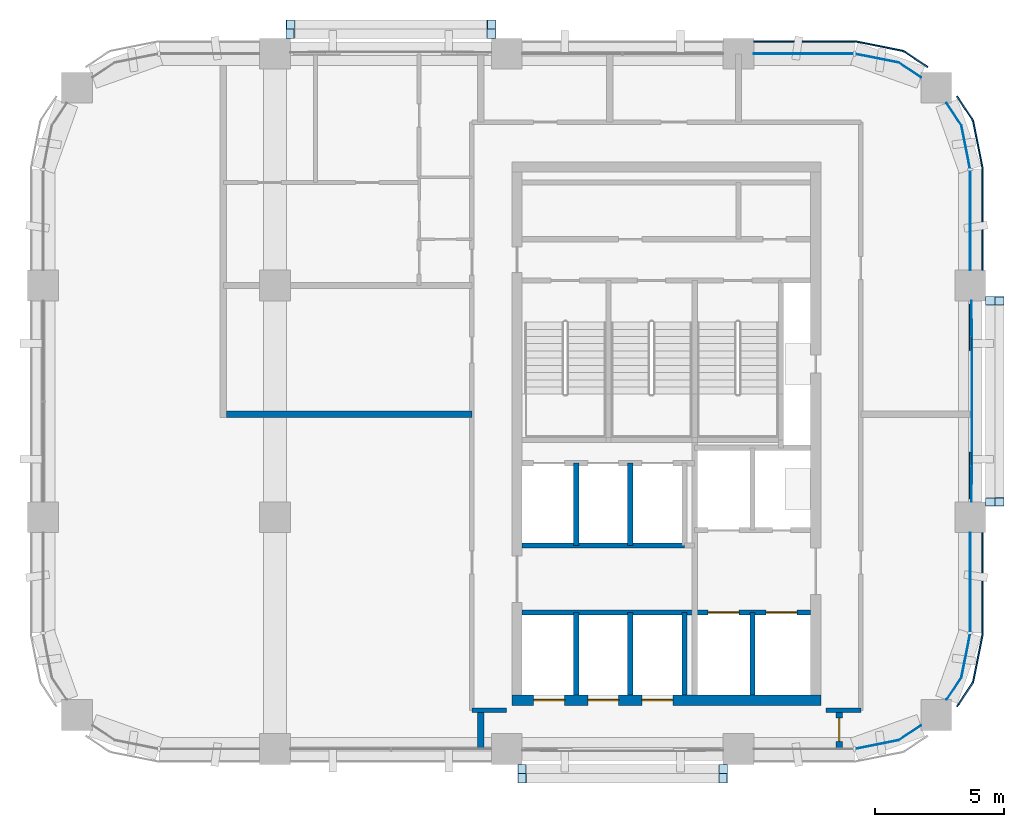
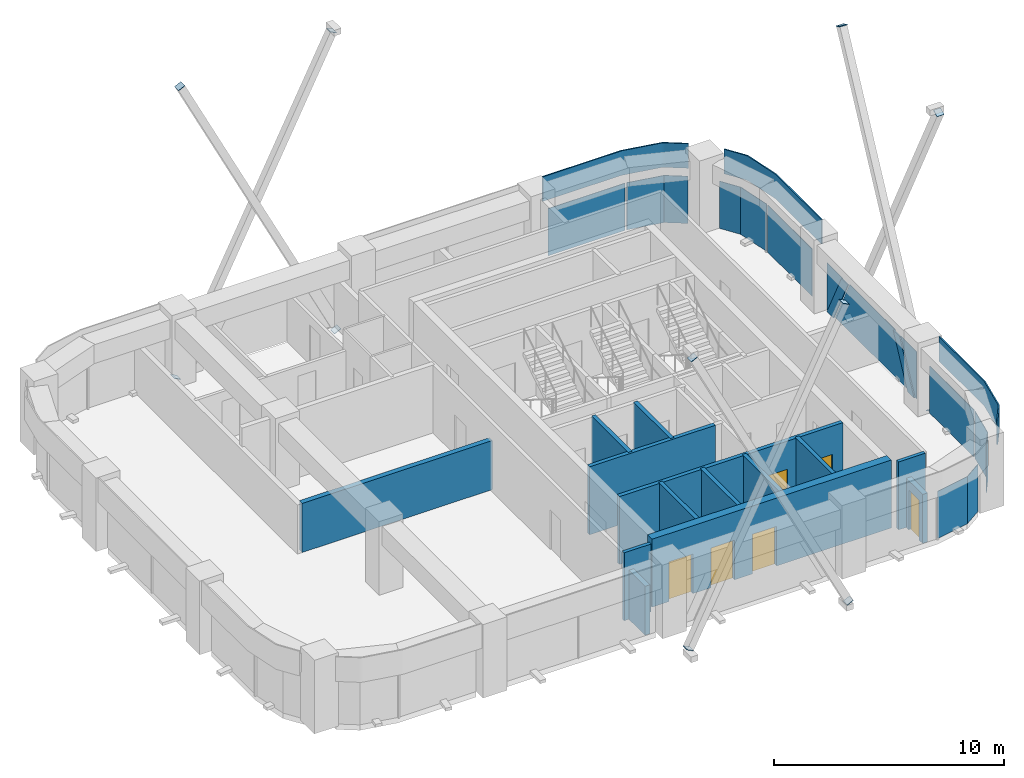
# One storey, part 6 of 10: 27 plates, 14 walls, 6 doors, 6 openings, 5 elements without a shape of their own.
"""IFC4 building model written with IfcOpenShell, lengths in metres."""

import ifcopenshell
import ifcopenshell.guid

model = None  # the IFC model being written
_history = None  # IfcOwnerHistory: only IFC2X3 demands one
_inside = {}  # id of a spatial element -> (the spatial element, [elements in it])
_under = {}  # id of a project, library or spatial element -> (it, [spatial elements below it])
_declared = {}  # id of a project -> (the project, [libraries it declares])
_typed = {}  # id of a type object -> (the type object, [elements of that type])
_made_of = {}  # id of a material, layer set ... -> (it, [elements and type objects made of it])


def new_model(schema):
    """Start an empty IFC model of exactly this schema.

    Asked for "IFC4X3", IfcOpenShell would pick the latest addendum, in which some entities
    have other attributes; the version numbers below select the first issue.
    IFC2X3 requires an IfcOwnerHistory on every rooted entity: one is made here for all.
    """
    global model, _history
    if schema == "IFC4X3":
        model = ifcopenshell.file(schema_version=(4, 3, 0, 0))
    else:
        model = ifcopenshell.file(schema=schema)
    _inside.clear()
    _under.clear()
    _declared.clear()
    _typed.clear()
    _made_of.clear()
    _history = None
    if model.schema == "IFC2X3":
        org = make("IfcOrganization", Name="unknown")
        user = make(
            "IfcPersonAndOrganization",
            ThePerson=make("IfcPerson", FamilyName="unknown"),
            TheOrganization=org,
        )
        app = make(
            "IfcApplication",
            ApplicationDeveloper=org,
            Version="unknown",
            ApplicationFullName="unknown",
            ApplicationIdentifier="unknown",
        )
        _history = make(
            "IfcOwnerHistory",
            OwningUser=user,
            OwningApplication=app,
            ChangeAction="ADDED",
            CreationDate=0,
        )
    return model


def make(cls, **values):
    """One entity of the class cls with the attributes given. An attribute that is None is left unset."""
    return model.create_entity(
        cls, **{name: value for name, value in values.items() if value is not None}
    )


def rooted(cls, **values):
    """An entity with a GlobalId (a new one), such as an element, a storey or a relation."""
    return make(cls, GlobalId=ifcopenshell.guid.new(), OwnerHistory=_history, **values)


def si_unit(unit_type, name, prefix=None):
    """IfcSIUnit, for example si_unit("LENGTHUNIT", "METRE", prefix="MILLI")."""
    return make("IfcSIUnit", UnitType=unit_type, Prefix=prefix, Name=name)


def assignment(units):
    """IfcUnitAssignment: the units of a project."""
    return None if units is None else make("IfcUnitAssignment", Units=units)


def point(xyz):
    """IfcCartesianPoint."""
    return None if xyz is None else make("IfcCartesianPoint", Coordinates=xyz)


def direction(xyz):
    """IfcDirection."""
    return None if xyz is None else make("IfcDirection", DirectionRatios=xyz)


def frame(location, z_axis=None, x_axis=None):
    """IfcAxis2Placement3D, a coordinate frame: its origin and axes. An axis left out is left unset."""
    return make(
        "IfcAxis2Placement3D",
        Location=point(location),
        Axis=direction(z_axis),
        RefDirection=direction(x_axis),
    )


def frame_2d(location, x_axis=None):
    """IfcAxis2Placement2D, a coordinate frame in the plane: its origin and x axis."""
    return make(
        "IfcAxis2Placement2D", Location=point(location), RefDirection=direction(x_axis)
    )


def origin():
    """The frame at (0, 0, 0) with its axes left unset."""
    return frame((0.0, 0.0, 0.0))


def origin_2d():
    """The frame at (0, 0) in the plane with its x axis left unset."""
    return frame_2d((0.0, 0.0))


def place(relative_to, where):
    """IfcLocalPlacement: puts the frame where relative to a parent placement (None: the world)."""
    return make(
        "IfcLocalPlacement", PlacementRelTo=relative_to, RelativePlacement=where
    )


def context(
    kind, dimensions, precision=None, world=None, true_north=None, identifier=None
):
    """IfcGeometricRepresentationContext, for example the 3D "Model" context."""
    return make(
        "IfcGeometricRepresentationContext",
        ContextIdentifier=identifier,
        ContextType=kind,
        CoordinateSpaceDimension=dimensions,
        Precision=precision,
        WorldCoordinateSystem=world,
        TrueNorth=true_north,
    )


def subcontext(parent, identifier, kind, view, scale=None):
    """IfcGeometricRepresentationSubContext, for example "Body" below "Model"."""
    return make(
        "IfcGeometricRepresentationSubContext",
        ContextIdentifier=identifier,
        ContextType=kind,
        ParentContext=parent,
        TargetScale=scale,
        TargetView=view,
    )


def project(units=None, contexts=None):
    """IfcProject with its units and contexts."""
    return rooted(
        "IfcProject",
        Name="project",
        RepresentationContexts=contexts,
        UnitsInContext=assignment(units),
    )


def spatial(cls, under=None, at=None, **own):
    """A site, building, storey or space (cls), placed at a placement, below another one or the project."""
    s = rooted(cls, ObjectPlacement=at, **own)
    if under is not None:
        _under.setdefault(under.id(), (under, []))[1].append(s)
    return s


def polyline(points):
    """IfcPolyline through the points."""
    return make("IfcPolyline", Points=[point(p) for p in points])


def profile(cls, at=None, kind="AREA", **sizes):
    """A parametric profile (cls). Its sizes go by their IFC names, for example OverallWidth=200.0."""
    return make(cls, ProfileType=kind, Position=at, **sizes)


def rectangle(**sizes):
    """IfcRectangleProfileDef."""
    return profile("IfcRectangleProfileDef", **sizes)


def outline(outer, holes=None, kind="AREA"):
    """IfcArbitraryClosedProfileDef: a profile drawn as a closed curve; with holes, ...WithVoids."""
    if holes is None:
        return make("IfcArbitraryClosedProfileDef", ProfileType=kind, OuterCurve=outer)
    return make(
        "IfcArbitraryProfileDefWithVoids",
        ProfileType=kind,
        OuterCurve=outer,
        InnerCurves=holes,
    )


def extrude(swept, where, along, depth):
    """IfcExtrudedAreaSolid: the profile swept, set in the frame where, extruded along a direction by depth."""
    return make(
        "IfcExtrudedAreaSolid",
        SweptArea=swept,
        Position=where,
        ExtrudedDirection=direction(along),
        Depth=depth,
    )


def shape(context_of_items, identifier, shape_type, items):
    """IfcShapeRepresentation: the items that make up one representation, for example the "Body"."""
    return make(
        "IfcShapeRepresentation",
        ContextOfItems=context_of_items,
        RepresentationIdentifier=identifier,
        RepresentationType=shape_type,
        Items=items,
    )


def material(Name=None, Category=None):
    """IfcMaterial."""
    return make("IfcMaterial", Name=Name, Category=Category)


def layer(
    of_material, thickness, ventilated=None, Name=None, Category=None, Priority=None
):
    """IfcMaterialLayer: one layer of a wall or slab, of a material (None: an air gap)."""
    return make(
        "IfcMaterialLayer",
        Material=of_material,
        LayerThickness=thickness,
        IsVentilated=ventilated,
        Name=Name,
        Category=Category,
        Priority=Priority,
    )


def layer_set(layers, Name=None):
    """IfcMaterialLayerSet."""
    return make("IfcMaterialLayerSet", MaterialLayers=layers, LayerSetName=Name)


def made_of(thing, what):
    """Note that an element or type object is made of a material, layer set ...; save() writes the relation."""
    if what is not None:
        _made_of.setdefault(what.id(), (what, []))[1].append(thing)
    return thing


def type_object(cls, material=None, **own):
    """A type object (cls), such as IfcWallType, which elements share."""
    return made_of(rooted(cls, **own), material)


def element(
    cls,
    number,
    at=None,
    inside=None,
    cuts=None,
    type_object=None,
    material=None,
    context=None,
    identifier="Body",
    shape_type=None,
    held_by="IfcProductDefinitionShape",
    body=None,
    shapes=None,
    **own,
):
    """One element of the class cls, such as IfcWall. Its Tag is "e" and its number.

    at: its placement. inside: the storey or other place that contains it. cuts: it is an
    opening in that element (IfcRelVoidsElement). A single representation is given by context,
    identifier, shape_type and body (its items); several are given by shapes. held_by: the class
    of the entity that holds the representations. save() writes the other relations.
    """
    e = rooted(cls, Tag="e%d" % number, ObjectPlacement=at, **own)
    if body is not None:
        shapes = [shape(context, identifier, shape_type, body)]
    if shapes is not None:
        e.Representation = make(held_by, Representations=shapes)
    if inside is not None:
        _inside.setdefault(inside.id(), (inside, []))[1].append(e)
    if cuts is not None:
        rooted(
            "IfcRelVoidsElement", RelatingBuildingElement=cuts, RelatedOpeningElement=e
        )
    if type_object is not None:
        _typed.setdefault(type_object.id(), (type_object, []))[1].append(e)
    return made_of(e, material)


def fill(opening, filler):
    """IfcRelFillsElement: the door or window that sits in an opening."""
    return rooted(
        "IfcRelFillsElement",
        RelatingOpeningElement=opening,
        RelatedBuildingElement=filler,
    )


def aggregate(whole, parts):
    """IfcRelAggregates: a whole, such as a stair, and the parts it consists of."""
    return rooted("IfcRelAggregates", RelatingObject=whole, RelatedObjects=parts)


def save(model, path):
    """Write the relations noted so far, then the file.

    IfcRelAggregates (storeys below a building ...), IfcRelContainedInSpatialStructure (elements
    in a storey), IfcRelDefinesByType, IfcRelAssociatesMaterial and IfcRelDeclares: one each for
    every whole, place, type object, material and project.
    """
    for whole, parts in _under.values():
        aggregate(whole, parts)
    for where, things in _inside.values():
        rooted(
            "IfcRelContainedInSpatialStructure",
            RelatedElements=things,
            RelatingStructure=where,
        )
    for kind, things in _typed.values():
        rooted("IfcRelDefinesByType", RelatedObjects=things, RelatingType=kind)
    for what, things in _made_of.values():
        rooted("IfcRelAssociatesMaterial", RelatedObjects=things, RelatingMaterial=what)
    for by, libraries in _declared.values():
        rooted("IfcRelDeclares", RelatingContext=by, RelatedDefinitions=libraries)
    model.write(path)


model = new_model("IFC4")

# Units and contexts
model_context = context("Model", 3, precision=1e-05, world=origin(), true_north=direction((0.0, 1.0)))
body_context = subcontext(model_context, "Body", "Model", "MODEL_VIEW")
ifc_project = project(units=[si_unit("LENGTHUNIT", "METRE"), si_unit("AREAUNIT", "SQUARE_METRE"), si_unit("VOLUMEUNIT", "CUBIC_METRE"), si_unit("PLANEANGLEUNIT", "RADIAN"), si_unit("MASSUNIT", "GRAM", prefix="KILO")], contexts=[model_context])

# Site, building, storey
site_placement = place(None, origin())
site = spatial("IfcSite", under=ifc_project, at=site_placement, CompositionType="ELEMENT")
building_placement = place(site_placement, origin())
building = spatial("IfcBuilding", under=site, at=building_placement, Name="Tessera Arch", CompositionType="ELEMENT")
storey_placement = place(building_placement, frame((0.0, 0.0, 265.699951171875)))
storey = spatial("IfcBuildingStorey", under=building, at=storey_placement, Name="L64", CompositionType="ELEMENT", Elevation=265.699951171875)

# Curtain wall, plates
ifc_material_1 = material(Name="CW2 curtain wall")
curtain_wall_type_1 = type_object("IfcCurtainWallType", Name="CW2 curtain wall", PredefinedType="NOTDEFINED", material=ifc_material_1)
curtain_wall_1_placement = place(storey_placement, origin())
curtain_wall_1 = element("IfcCurtainWall", 1, at=curtain_wall_1_placement, inside=storey, type_object=curtain_wall_type_1, Name="CW2 curtain wall E54.27/1 L64", PredefinedType="NOTDEFINED")
ifc_material_2 = material(Name="Clear low-e glass", Category="glass")
ifc_material_3 = material(Name="Clear low-e glass", Category="glass")
ifc_layer_1 = layer(ifc_material_3, 0.028076171875)
ifc_layer_set_1 = layer_set([ifc_layer_1], Name="CW2 glass panel")
plate_type_1 = type_object("IfcPlateType", Name="CW2 glass panel", PredefinedType="CURTAIN_PANEL", material=ifc_layer_set_1)
plate_1_placement = place(storey_placement, frame((54.0, 47.530029296875, 0.0), z_axis=(0.0, 0.0, 1.0), x_axis=(0.0, 1.0, 0.0)))
plate_1 = element("IfcPlate", 2, at=plate_1_placement, type_object=plate_type_1, material=ifc_material_2, Name="CW2 glass panel E54.27/1 1.1", PredefinedType="CURTAIN_PANEL", context=body_context, shape_type="SweptSolid", body=[
    extrude(rectangle(XDim=3.860107421875, YDim=0.028076171875, at=origin_2d()), origin(), (0.0, 0.0, 1.0), 2.5),
])
plate_2_placement = place(storey_placement, origin())
plate_2 = element("IfcPlate", 3, at=plate_2_placement, type_object=plate_type_1, material=ifc_material_2, Name="CW2 curved glass panel E54.27/1 2.1", PredefinedType="CURTAIN_PANEL", context=body_context, shape_type="SweptSolid", body=[
    extrude(outline(polyline([(53.644287109375, 51.216552734375), (53.978515625, 49.53662109375), (54.005859375, 49.5419921875), (53.670654296875, 51.2275390625), (53.094482421875, 52.08984375), (53.0712890625, 52.07421875), (53.644287109375, 51.216552734375)])), origin(), (0.0, 0.0, 1.0), 2.5),
])

curtain_wall_2_placement = place(storey_placement, origin())
curtain_wall_2 = element("IfcCurtainWall", 4, at=curtain_wall_2_placement, inside=storey, type_object=curtain_wall_type_1, Name="CW2 curtain wall N54.18/0 L64", PredefinedType="NOTDEFINED")
plate_3_placement = place(storey_placement, frame((47.530029296875, 54.0, 0.0), z_axis=(0.0, 0.0, 1.0), x_axis=(-1.0, 0.0, 0.0)))
plate_3 = element("IfcPlate", 5, at=plate_3_placement, type_object=plate_type_1, material=ifc_material_2, Name="CW2 glass panel N54.18/0 1.1", PredefinedType="CURTAIN_PANEL", context=body_context, shape_type="SweptSolid", body=[
    extrude(rectangle(XDim=3.860107421875, YDim=0.028076171875, at=origin_2d()), origin(), (0.0, 0.0, 1.0), 2.5),
])
plate_4_placement = place(storey_placement, origin())
plate_4 = element("IfcPlate", 6, at=plate_4_placement, type_object=plate_type_1, material=ifc_material_2, Name="CW2 curved glass panel N54.18/0 2.1", PredefinedType="CURTAIN_PANEL", context=body_context, shape_type="SweptSolid", body=[
    extrude(outline(polyline([(51.216552734375, 53.644287109375), (52.07421875, 53.0712890625), (52.08984375, 53.094482421875), (51.2275390625, 53.670654296875), (49.5419921875, 54.005859375), (49.53662109375, 53.978515625), (51.216552734375, 53.644287109375)])), origin(), (0.0, 0.0, 1.0), 2.5),
])

# Curtain wall, plate
curtain_wall_3_placement = place(storey_placement, origin())
curtain_wall_3 = element("IfcCurtainWall", 7, at=curtain_wall_3_placement, inside=storey, type_object=curtain_wall_type_1, Name="CW2 curtain wall S27.18/3 L64", PredefinedType="NOTDEFINED")
plate_5_placement = place(storey_placement, origin())
plate_5 = element("IfcPlate", 8, at=plate_5_placement, type_object=plate_type_1, material=ifc_material_2, Name="CW2 curved glass panel S27.18/3 2.1", PredefinedType="CURTAIN_PANEL", context=body_context, shape_type="SweptSolid", body=[
    extrude(outline(polyline([(51.216552734375, 27.355712890625), (49.53662109375, 27.021484375), (49.5419921875, 26.994140625), (51.2275390625, 27.329345703125), (52.08984375, 27.905517578125), (52.07421875, 27.9287109375), (51.216552734375, 27.355712890625)])), origin(), (0.0, 0.0, 1.0), 2.5),
])
aggregate(curtain_wall_3, [plate_5])

# Curtain wall, plates
curtain_wall_4_placement = place(storey_placement, origin())
curtain_wall_4 = element("IfcCurtainWall", 9, at=curtain_wall_4_placement, inside=storey, type_object=curtain_wall_type_1, Name="CW2 curtain wall E54.27/2 L64", PredefinedType="NOTDEFINED")
plate_6_placement = place(storey_placement, frame((54.0, 33.469970703125, 0.0), z_axis=(0.0, 0.0, 1.0), x_axis=(0.0, 1.0, 0.0)))
plate_6 = element("IfcPlate", 10, at=plate_6_placement, type_object=plate_type_1, material=ifc_material_2, Name="CW2 glass panel E54.27/2 1.1", PredefinedType="CURTAIN_PANEL", context=body_context, shape_type="SweptSolid", body=[
    extrude(rectangle(XDim=3.860107421875, YDim=0.028076171875, at=origin_2d()), origin(), (0.0, 0.0, 1.0), 2.5),
])
plate_7_placement = place(storey_placement, origin())
plate_7 = element("IfcPlate", 11, at=plate_7_placement, type_object=plate_type_1, material=ifc_material_2, Name="CW2 curved glass panel E54.27/2 2.1", PredefinedType="CURTAIN_PANEL", context=body_context, shape_type="SweptSolid", body=[
    extrude(outline(polyline([(53.644287109375, 29.783447265625), (53.0712890625, 28.92578125), (53.094482421875, 28.91015625), (53.670654296875, 29.7724609375), (54.005859375, 31.4580078125), (53.978515625, 31.46337890625), (53.644287109375, 29.783447265625)])), origin(), (0.0, 0.0, 1.0), 2.5),
])

# Plate
ifc_material_4 = material(Name="Pale anodised aluminium panel", Category="aluminium")
ifc_layer_2 = layer(ifc_material_4, 0.06005859375)
ifc_layer_set_2 = layer_set([ifc_layer_2], Name="CW2 spandrel panel")
plate_type_2 = type_object("IfcPlateType", Name="CW2 spandrel panel", PredefinedType="CURTAIN_PANEL", material=ifc_layer_set_2)
plate_8_placement = place(storey_placement, frame((0.0, 0.0, 2.60009765625)))
plate_8 = element("IfcPlate", 12, at=plate_8_placement, type_object=plate_type_2, Name="CW2 spandrel panel E54.27/1", PredefinedType="CURTAIN_PANEL", context=body_context, shape_type="SweptSolid", body=[
    extrude(outline(polyline([(54.449951171875, 49.499267578125), (54.449951171875, 45.60009765625), (54.510009765625, 45.60009765625), (54.510009765625, 49.500732421875), (54.507568359375, 49.550048828125), (54.500244140625, 49.598876953125), (54.157470703125, 51.322265625), (54.1455078125, 51.3701171875), (54.128662109375, 51.417236328125), (54.107421875, 51.462646484375), (54.08203125, 51.5048828125), (53.5068359375, 52.365234375), (53.45703125, 52.33203125), (54.03125, 51.47265625), (54.054443359375, 51.434326171875), (54.0732421875, 51.394287109375), (54.088134765625, 51.352783203125), (54.09912109375, 51.30908203125), (54.441162109375, 49.588623046875), (54.44775390625, 49.544189453125), (54.449951171875, 49.499267578125)])), origin(), (0.0, 0.0, 1.0), 1.300048828125),
])

aggregate(curtain_wall_1, [plate_1, plate_2, plate_8])

plate_9_placement = place(storey_placement, frame((0.0, 0.0, 2.60009765625)))
plate_9 = element("IfcPlate", 13, at=plate_9_placement, type_object=plate_type_2, Name="CW2 spandrel panel N54.18/0", PredefinedType="CURTAIN_PANEL", context=body_context, shape_type="SweptSolid", body=[
    extrude(outline(polyline([(51.47265625, 54.03125), (52.33203125, 53.45703125), (52.365234375, 53.5068359375), (51.5048828125, 54.08203125), (51.462646484375, 54.107421875), (51.417236328125, 54.128662109375), (51.3701171875, 54.1455078125), (51.322265625, 54.157470703125), (49.598876953125, 54.500244140625), (49.550048828125, 54.507568359375), (49.500732421875, 54.510009765625), (45.60009765625, 54.510009765625), (45.60009765625, 54.449951171875), (49.499267578125, 54.449951171875), (49.544189453125, 54.44775390625), (49.588623046875, 54.441162109375), (51.30908203125, 54.09912109375), (51.352783203125, 54.088134765625), (51.394287109375, 54.0732421875), (51.434326171875, 54.054443359375), (51.47265625, 54.03125)])), origin(), (0.0, 0.0, 1.0), 1.300048828125),
])

aggregate(curtain_wall_2, [plate_3, plate_4, plate_9])

plate_10_placement = place(storey_placement, frame((0.0, 0.0, 2.60009765625)))
plate_10 = element("IfcPlate", 14, at=plate_10_placement, type_object=plate_type_2, Name="CW2 spandrel panel E54.27/2", PredefinedType="CURTAIN_PANEL", context=body_context, shape_type="SweptSolid", body=[
    extrude(outline(polyline([(54.03125, 29.52734375), (53.45703125, 28.66796875), (53.5068359375, 28.634765625), (54.08203125, 29.4951171875), (54.107421875, 29.537353515625), (54.128662109375, 29.582763671875), (54.1455078125, 29.6298828125), (54.157470703125, 29.677734375), (54.500244140625, 31.401123046875), (54.507568359375, 31.449951171875), (54.510009765625, 31.499267578125), (54.510009765625, 35.39990234375), (54.449951171875, 35.39990234375), (54.449951171875, 31.500732421875), (54.44775390625, 31.455810546875), (54.441162109375, 31.411376953125), (54.09912109375, 29.69091796875), (54.088134765625, 29.647216796875), (54.0732421875, 29.605712890625), (54.054443359375, 29.565673828125), (54.03125, 29.52734375)])), origin(), (0.0, 0.0, 1.0), 1.300048828125),
])

aggregate(curtain_wall_4, [plate_6, plate_7, plate_10])

# Curtain wall, plates
ifc_material_5 = material(Name="CW3 curtain wall")
curtain_wall_type_2 = type_object("IfcCurtainWallType", Name="CW3 curtain wall", PredefinedType="NOTDEFINED", material=ifc_material_5)
curtain_wall_5_placement = place(storey_placement, origin())
curtain_wall_5 = element("IfcCurtainWall", 15, at=curtain_wall_5_placement, inside=storey, type_object=curtain_wall_type_2, Name="CW3 curtain wall E54.27/0 L64", PredefinedType="NOTDEFINED")
ifc_material_6 = material(Name="Pale anodised aluminium panel", Category="aluminium")
ifc_layer_3 = layer(ifc_material_6, 0.06005859375)
ifc_layer_set_3 = layer_set([ifc_layer_3], Name="CW3 diagonal panel")
plate_type_3 = type_object("IfcPlateType", Name="CW3 diagonal panel", PredefinedType="CURTAIN_PANEL", material=ifc_layer_set_3)
plate_11_placement = place(storey_placement, frame((54.030029296875, 43.0322265625, 2.5), z_axis=(1.0, 0.0, 0.0), x_axis=(0.0, -1.0, 0.0)))
plate_11 = element("IfcPlate", 16, at=plate_11_placement, type_object=plate_type_3, Name="CW3 diagonal panel E54.27/0 1", PredefinedType="CURTAIN_PANEL", context=body_context, shape_type="SweptSolid", body=[
    extrude(outline(polyline([(0.0, 0.0), (0.564453125, 0.0), (-0.685546875, 2.5), (-1.25, 2.5), (0.0, 0.0)])), origin(), (0.0, 0.0, -1.0), 0.06005859375),
])
plate_12_placement = place(storey_placement, frame((54.030029296875, 38.5322265625, 2.5), z_axis=(1.0, 0.0, 0.0), x_axis=(0.0, -1.0, 0.0)))
plate_12 = element("IfcPlate", 17, at=plate_12_placement, type_object=plate_type_3, Name="CW3 diagonal panel E54.27/0 2", PredefinedType="CURTAIN_PANEL", context=body_context, shape_type="SweptSolid", body=[
    extrude(outline(polyline([(0.0, 0.0), (0.564453125, 0.0), (1.814453125, 2.5), (1.25, 2.5), (0.0, 0.0)])), origin(), (0.0, 0.0, -1.0), 0.06005859375),
])
ifc_material_7 = material(Name="Clear low-e glass", Category="glass")
ifc_layer_4 = layer(ifc_material_7, 0.028076171875)
ifc_layer_set_4 = layer_set([ifc_layer_4], Name="CW3 glass panel")
plate_type_4 = type_object("IfcPlateType", Name="CW3 glass panel", PredefinedType="CURTAIN_PANEL", material=ifc_layer_set_4)
plate_13_placement = place(storey_placement, frame((54.05810546875, 36.60009765625, 0.0), z_axis=(1.0, 0.0, 0.0), x_axis=(0.0, 1.0, 0.0)))
plate_13 = element("IfcPlate", 18, at=plate_13_placement, type_object=plate_type_4, material=ifc_material_2, Name="CW3 triangulated glass panel E54.27/0 1", PredefinedType="CURTAIN_PANEL", context=body_context, shape_type="SweptSolid", body=[
    extrude(outline(polyline([(0.0, 0.0), (0.11767578125, 0.0), (1.36767578125, 2.5), (0.0, 2.5), (0.0, 0.0)])), origin(), (0.0, 0.0, -1.0), 0.028076171875),
])
plate_14_placement = place(storey_placement, frame((54.0859375, 42.4677734375, 2.5), z_axis=(1.0, 0.0, 0.0), x_axis=(0.0, -1.0, 0.0)))
plate_14 = element("IfcPlate", 19, at=plate_14_placement, type_object=plate_type_4, material=ifc_material_2, Name="CW3 triangulated glass panel E54.27/0 2", PredefinedType="CURTAIN_PANEL", context=body_context, shape_type="SweptSolid", body=[
    extrude(outline(polyline([(0.0, 0.0), (3.935546875, 0.0), (5.185546875, 2.5), (-1.25, 2.5), (0.0, 0.0)])), origin(), (0.0, 0.0, -1.0), 0.028076171875),
])
plate_15_placement = place(storey_placement, frame((54.05810546875, 44.39990234375, 2.5), z_axis=(1.0, 0.0, 0.0), x_axis=(0.0, -1.0, 0.0)))
plate_15 = element("IfcPlate", 20, at=plate_15_placement, type_object=plate_type_4, material=ifc_material_2, Name="CW3 triangulated glass panel E54.27/0 3", PredefinedType="CURTAIN_PANEL", context=body_context, shape_type="SweptSolid", body=[
    extrude(outline(polyline([(0.0, 0.0), (1.36767578125, 0.0), (0.11767578125, 2.5), (0.0, 2.5), (0.0, 0.0)])), origin(), (0.0, 0.0, -1.0), 0.028076171875),
])
aggregate(curtain_wall_5, [plate_13, plate_14, plate_15, plate_11, plate_12])

# Plates
ifc_material_8 = material(Name="Steel A572 Gr50", Category="steel")
ifc_layer_5 = layer(ifc_material_8, 0.02490234375)
ifc_layer_set_5 = layer_set([ifc_layer_5], Name="End plate HSS14x14x1/2")
plate_type_5 = type_object("IfcPlateType", Name="End plate HSS14x14x1/2", PredefinedType="SHEET", material=ifc_layer_set_5)
plate_16_placement = place(storey_placement, frame((54.77783203125, 36.5888671875, -0.822265625), z_axis=(0.0, 0.451132182653, 0.892457143943), x_axis=(-1.0, 0.0, 0.0)))
element("IfcPlate", 21, at=plate_16_placement, inside=storey, type_object=plate_type_5, Name="End plate HSS14x14x1/2 E54.27-0 A1 L64", PredefinedType="SHEET", context=body_context, shape_type="SweptSolid", body=[
    extrude(rectangle(XDim=0.355712890625, YDim=0.355712890625, at=origin_2d()), origin(), (0.0, 0.0, 1.0), 0.02490234375),
])
plate_17_placement = place(storey_placement, frame((54.77783203125, 44.39990234375, 14.800048828125), z_axis=(0.0, 0.4472135955, 0.894427191), x_axis=(-1.0, 0.0, 0.0)))
element("IfcPlate", 22, at=plate_17_placement, inside=storey, type_object=plate_type_5, Name="End plate HSS14x14x1/2 E54.27-0 A2 L64", PredefinedType="SHEET", context=body_context, shape_type="SweptSolid", body=[
    extrude(rectangle(XDim=0.355712890625, YDim=0.355712890625, at=origin_2d()), origin(), (0.0, 0.0, 1.0), 0.025146484375),
])
plate_18_placement = place(storey_placement, frame((55.13330078125, 44.4111328125, -0.822265625), z_axis=(0.0, -0.451132182653, 0.892457143943), x_axis=(1.0, 0.0, 0.0)))
element("IfcPlate", 23, at=plate_18_placement, inside=storey, type_object=plate_type_5, Name="End plate HSS14x14x1/2 E54.27-0 B1 L64", PredefinedType="SHEET", context=body_context, shape_type="SweptSolid", body=[
    extrude(rectangle(XDim=0.355712890625, YDim=0.355712890625, at=origin_2d()), origin(), (0.0, 0.0, 1.0), 0.02490234375),
])
plate_19_placement = place(storey_placement, frame((55.13330078125, 36.60009765625, 14.800048828125), z_axis=(0.0, -0.4472135955, 0.894427191), x_axis=(1.0, 0.0, 0.0)))
element("IfcPlate", 24, at=plate_19_placement, inside=storey, type_object=plate_type_5, Name="End plate HSS14x14x1/2 E54.27-0 B2 L64", PredefinedType="SHEET", context=body_context, shape_type="SweptSolid", body=[
    extrude(rectangle(XDim=0.355712890625, YDim=0.355712890625, at=origin_2d()), origin(), (0.0, 0.0, 1.0), 0.025146484375),
])
plate_20_placement = place(storey_placement, frame((35.4111328125, 54.77783203125, -0.822265625), z_axis=(-0.451132182653, 0.0, 0.892457143943), x_axis=(0.0, -1.0, 0.0)))
element("IfcPlate", 25, at=plate_20_placement, inside=storey, type_object=plate_type_5, Name="End plate HSS14x14x1/2 N54.18-2 A1 L64", PredefinedType="SHEET", context=body_context, shape_type="SweptSolid", body=[
    extrude(rectangle(XDim=0.355712890625, YDim=0.355712890625, at=origin_2d()), origin(), (0.0, 0.0, 1.0), 0.02490234375),
])
plate_21_placement = place(storey_placement, frame((27.60009765625, 54.77783203125, 14.800048828125), z_axis=(-0.4472135955, 0.0, 0.894427191), x_axis=(0.0, -1.0, 0.0)))
element("IfcPlate", 26, at=plate_21_placement, inside=storey, type_object=plate_type_5, Name="End plate HSS14x14x1/2 N54.18-2 A2 L64", PredefinedType="SHEET", context=body_context, shape_type="SweptSolid", body=[
    extrude(rectangle(XDim=0.355712890625, YDim=0.355712890625, at=origin_2d()), origin(), (0.0, 0.0, 1.0), 0.025146484375),
])
plate_22_placement = place(storey_placement, frame((27.5888671875, 55.13330078125, -0.822265625), z_axis=(0.451132182653, 0.0, 0.892457143943), x_axis=(0.0, 1.0, 0.0)))
element("IfcPlate", 27, at=plate_22_placement, inside=storey, type_object=plate_type_5, Name="End plate HSS14x14x1/2 N54.18-2 B1 L64", PredefinedType="SHEET", context=body_context, shape_type="SweptSolid", body=[
    extrude(rectangle(XDim=0.355712890625, YDim=0.355712890625, at=origin_2d()), origin(), (0.0, 0.0, 1.0), 0.02490234375),
])
plate_23_placement = place(storey_placement, frame((35.39990234375, 55.13330078125, 14.800048828125), z_axis=(0.4472135955, 0.0, 0.894427191), x_axis=(0.0, 1.0, 0.0)))
element("IfcPlate", 28, at=plate_23_placement, inside=storey, type_object=plate_type_5, Name="End plate HSS14x14x1/2 N54.18-2 B2 L64", PredefinedType="SHEET", context=body_context, shape_type="SweptSolid", body=[
    extrude(rectangle(XDim=0.355712890625, YDim=0.355712890625, at=origin_2d()), origin(), (0.0, 0.0, 1.0), 0.025146484375),
])
plate_24_placement = place(storey_placement, frame((36.5888671875, 26.22216796875, -0.822265625), z_axis=(0.451132182653, 0.0, 0.892457143943), x_axis=(0.0, 1.0, 0.0)))
element("IfcPlate", 29, at=plate_24_placement, inside=storey, type_object=plate_type_5, Name="End plate HSS14x14x1/2 S27.18-2 A1 L64", PredefinedType="SHEET", context=body_context, shape_type="SweptSolid", body=[
    extrude(rectangle(XDim=0.355712890625, YDim=0.355712890625, at=origin_2d()), origin(), (0.0, 0.0, 1.0), 0.02490234375),
])
plate_25_placement = place(storey_placement, frame((44.39990234375, 26.22216796875, 14.800048828125), z_axis=(0.4472135955, 0.0, 0.894427191), x_axis=(0.0, 1.0, 0.0)))
element("IfcPlate", 30, at=plate_25_placement, inside=storey, type_object=plate_type_5, Name="End plate HSS14x14x1/2 S27.18-2 A2 L64", PredefinedType="SHEET", context=body_context, shape_type="SweptSolid", body=[
    extrude(rectangle(XDim=0.355712890625, YDim=0.355712890625, at=origin_2d()), origin(), (0.0, 0.0, 1.0), 0.025146484375),
])
plate_26_placement = place(storey_placement, frame((44.4111328125, 25.86669921875, -0.822265625), z_axis=(-0.451132182653, 0.0, 0.892457143943), x_axis=(0.0, -1.0, 0.0)))
element("IfcPlate", 31, at=plate_26_placement, inside=storey, type_object=plate_type_5, Name="End plate HSS14x14x1/2 S27.18-2 B1 L64", PredefinedType="SHEET", context=body_context, shape_type="SweptSolid", body=[
    extrude(rectangle(XDim=0.355712890625, YDim=0.355712890625, at=origin_2d()), origin(), (0.0, 0.0, 1.0), 0.02490234375),
])
plate_27_placement = place(storey_placement, frame((36.60009765625, 25.86669921875, 14.800048828125), z_axis=(-0.4472135955, 0.0, 0.894427191), x_axis=(0.0, -1.0, 0.0)))
element("IfcPlate", 32, at=plate_27_placement, inside=storey, type_object=plate_type_5, Name="End plate HSS14x14x1/2 S27.18-2 B2 L64", PredefinedType="SHEET", context=body_context, shape_type="SweptSolid", body=[
    extrude(rectangle(XDim=0.355712890625, YDim=0.355712890625, at=origin_2d()), origin(), (0.0, 0.0, 1.0), 0.025146484375),
])

# Wall, openings, doors
ifc_material_9 = material(Name="Concrete C50/60", Category="concrete")
ifc_layer_6 = layer(ifc_material_9, 0.39990234375)
ifc_layer_set_6 = layer_set([ifc_layer_6], Name="Core shell wall 400 C50-60")
wall_type_1 = type_object("IfcWallType", Name="Core shell wall 400 C50-60", PredefinedType="SHEAR", material=ifc_layer_set_6)
wall_1_placement = place(storey_placement, frame((36.199951171875, 28.89990234375, 0.0), z_axis=(0.0, 0.0, 1.0), x_axis=(1.0, 0.0, 0.0)))
wall_1 = element("IfcWall", 33, at=wall_1_placement, inside=storey, type_object=wall_type_1, Name="L64 C1 core wall S", PredefinedType="SHEAR", context=body_context, shape_type="SweptSolid", body=[
    extrude(rectangle(XDim=12.0, YDim=0.39990234375, at=frame_2d((6.0, 0.0))), origin(), (0.0, 0.0, 1.0), 3.60009765625),
])
opening_1_placement = place(wall_1_placement, frame((0.85009765625, 0.0, 0.0)))
opening_1 = element("IfcOpeningElement", 34, at=opening_1_placement, cuts=wall_1, Name="Opening L64-C01", PredefinedType="OPENING", context=body_context, shape_type="SweptSolid", body=[
    extrude(rectangle(XDim=1.199951171875, YDim=2.10009765625, at=frame_2d((0.60009765625, 1.050048828125))), frame((0.0, 0.2099609375, 0.0), z_axis=(0.0, -1.0, 0.0), x_axis=(1.0, 0.0, 0.0)), (0.0, 0.0, 1.0), 0.419921875),
])
opening_2_placement = place(wall_1_placement, frame((2.949951171875, 0.0, 0.0)))
opening_2 = element("IfcOpeningElement", 35, at=opening_2_placement, cuts=wall_1, Name="Opening L64-C03", PredefinedType="OPENING", context=body_context, shape_type="SweptSolid", body=[
    extrude(rectangle(XDim=1.199951171875, YDim=2.10009765625, at=frame_2d((0.60009765625, 1.050048828125))), frame((0.0, 0.2099609375, 0.0), z_axis=(0.0, -1.0, 0.0), x_axis=(1.0, 0.0, 0.0)), (0.0, 0.0, 1.0), 0.419921875),
])
opening_3_placement = place(wall_1_placement, frame((5.050048828125, 0.0, 0.0)))
opening_3 = element("IfcOpeningElement", 36, at=opening_3_placement, cuts=wall_1, Name="Opening L64-C05", PredefinedType="OPENING", context=body_context, shape_type="SweptSolid", body=[
    extrude(rectangle(XDim=1.199951171875, YDim=2.10009765625, at=frame_2d((0.60009765625, 1.050048828125))), frame((0.0, 0.2099609375, 0.0), z_axis=(0.0, -1.0, 0.0), x_axis=(1.0, 0.0, 0.0)), (0.0, 0.0, 1.0), 0.419921875),
])
ifc_material_10 = material(Name="Stainless steel AISI 304", Category="steel")
door_type_1 = type_object("IfcDoorType", Name="Sliding landing door 1200 x 2100", OperationType="SLIDING_TO_LEFT", PredefinedType="DOOR", material=ifc_material_10)
door_1_placement = place(opening_1_placement, origin())
door_1 = element("IfcDoor", 37, at=door_1_placement, inside=storey, type_object=door_type_1, Name="L64 HR1 lift landing door C01 type LD", OperationType="SLIDING_TO_LEFT", OverallHeight=2.10009765625, OverallWidth=1.199951171875, PredefinedType="DOOR", context=body_context, shape_type="SweptSolid", body=[
    extrude(rectangle(XDim=1.199951171875, YDim=2.10009765625, at=frame_2d((0.60009765625, 1.050048828125))), frame((0.0, 0.02490234375, 0.0), z_axis=(0.0, -1.0, 0.0), x_axis=(1.0, 0.0, 0.0)), (0.0, 0.0, 1.0), 0.050048828125),
])
fill(opening_1, door_1)
door_2_placement = place(opening_2_placement, origin())
door_2 = element("IfcDoor", 38, at=door_2_placement, inside=storey, type_object=door_type_1, Name="L64 HR2 lift landing door C03 type LD", OperationType="SLIDING_TO_LEFT", OverallHeight=2.10009765625, OverallWidth=1.199951171875, PredefinedType="DOOR", context=body_context, shape_type="SweptSolid", body=[
    extrude(rectangle(XDim=1.199951171875, YDim=2.10009765625, at=frame_2d((0.60009765625, 1.050048828125))), frame((0.0, 0.02490234375, 0.0), z_axis=(0.0, -1.0, 0.0), x_axis=(1.0, 0.0, 0.0)), (0.0, 0.0, 1.0), 0.050048828125),
])
fill(opening_2, door_2)
door_3_placement = place(opening_3_placement, origin())
door_3 = element("IfcDoor", 39, at=door_3_placement, inside=storey, type_object=door_type_1, Name="L64 HR3 lift landing door C05 type LD", OperationType="SLIDING_TO_LEFT", OverallHeight=2.10009765625, OverallWidth=1.199951171875, PredefinedType="DOOR", context=body_context, shape_type="SweptSolid", body=[
    extrude(rectangle(XDim=1.199951171875, YDim=2.10009765625, at=frame_2d((0.60009765625, 1.050048828125))), frame((0.0, 0.02490234375, 0.0), z_axis=(0.0, -1.0, 0.0), x_axis=(1.0, 0.0, 0.0)), (0.0, 0.0, 1.0), 0.050048828125),
])
fill(opening_3, door_3)

# Walls
ifc_material_11 = material(Name="Gypsum board on deep steel stud with mineral wool", Category="steel")
ifc_layer_7 = layer(ifc_material_11, 0.175048828125)
ifc_layer_set_7 = layer_set([ifc_layer_7], Name="Corridor wall 175 EI 60")
wall_type_2 = type_object("IfcWallType", Name="Corridor wall 175 EI 60", PredefinedType="PARTITIONING", material=ifc_layer_set_7)
for number, where, z_axis, x_axis, name in (
    (40, (34.64990234375, 28.5, 0.0), (0.0, 0.0, 1.0), (1.0, 0.0, 0.0), "L64 partition 1"),
    (41, (48.39990234375, 28.5, 0.0), (0.0, 0.0, 1.0), (1.0, 0.0, 0.0), "L64 partition 2"),
):
    element("IfcWall", number, at=place(storey_placement, frame(where, z_axis=z_axis, x_axis=x_axis)), inside=storey, type_object=wall_type_2, Name=name, PredefinedType="PARTITIONING", context=body_context, shape_type="SweptSolid", body=[
        extrude(rectangle(XDim=1.35009765625, YDim=0.175048828125, at=frame_2d((0.675048828125, 0.0))), origin(), (0.0, 0.0, 1.0), 3.60009765625),
    ])
ifc_material_12 = material(Name="Double gypsum board on twin steel stud with acoustic mineral wool", Category="steel")
ifc_layer_8 = layer(ifc_material_12, 0.25)
ifc_layer_set_8 = layer_set([ifc_layer_8], Name="Party wall 250 EI 60")
wall_type_3 = type_object("IfcWallType", Name="Party wall 250 EI 60", PredefinedType="PARTITIONING", material=ifc_layer_set_8)
wall_2_placement = place(storey_placement, frame((25.125, 40.0, 0.0), z_axis=(0.0, 0.0, 1.0), x_axis=(1.0, 0.0, 0.0)))
element("IfcWall", 42, at=wall_2_placement, inside=storey, type_object=wall_type_3, Name="L64 partition 10", PredefinedType="PARTITIONING", context=body_context, shape_type="SweptSolid", body=[
    extrude(rectangle(XDim=9.52490234375, YDim=0.25, at=frame_2d((4.762451171875, 0.0))), origin(), (0.0, 0.0, 1.0), 2.60009765625),
])
wall_3_placement = place(storey_placement, frame((35.0, 27.0, 0.0), z_axis=(0.0, 0.0, 1.0), x_axis=(0.0, 1.0, 0.0)))
element("IfcWall", 43, at=wall_3_placement, inside=storey, type_object=wall_type_3, Name="L64 partition 14", PredefinedType="PARTITIONING", context=body_context, shape_type="SweptSolid", body=[
    extrude(rectangle(XDim=1.5, YDim=0.25, at=frame_2d((0.75, 0.0))), origin(), (0.0, 0.0, 1.0), 2.60009765625),
])

# Wall, opening, door
wall_4_placement = place(storey_placement, frame((48.910888671875, 27.0, 0.0), z_axis=(0.0, 0.0, 1.0), x_axis=(0.0, 1.0, 0.0)))
wall_4 = element("IfcWall", 44, at=wall_4_placement, inside=storey, type_object=wall_type_3, Name="L64 partition 18", PredefinedType="PARTITIONING", context=body_context, shape_type="SweptSolid", body=[
    extrude(rectangle(XDim=1.5, YDim=0.25, at=frame_2d((0.75, 0.0))), origin(), (0.0, 0.0, 1.0), 2.60009765625),
])
opening_4_placement = place(wall_4_placement, frame((0.300048828125, 0.0, 0.0)))
opening_4 = element("IfcOpeningElement", 45, at=opening_4_placement, cuts=wall_4, Name="Opening L64-D014", PredefinedType="OPENING", context=body_context, shape_type="SweptSolid", body=[
    extrude(rectangle(XDim=0.89990234375, YDim=2.10009765625, at=frame_2d((0.449951171875, 1.050048828125))), frame((0.0, 0.135009765625, 0.0), z_axis=(0.0, -1.0, 0.0), x_axis=(1.0, 0.0, 0.0)), (0.0, 0.0, 1.0), 0.27001953125),
])
ifc_material_13 = material(Name="Timber door leaf", Category="wood")
door_type_2 = type_object("IfcDoorType", Name="Room door 900 x 2100", OperationType="SINGLE_SWING_LEFT", PredefinedType="DOOR", material=ifc_material_13)
door_4_placement = place(opening_4_placement, origin())
door_4 = element("IfcDoor", 46, at=door_4_placement, inside=storey, type_object=door_type_2, Name="L64 door D014 type D01", OperationType="SINGLE_SWING_RIGHT", OverallHeight=2.10009765625, OverallWidth=0.89990234375, PredefinedType="DOOR", context=body_context, shape_type="SweptSolid", body=[
    extrude(rectangle(XDim=0.89990234375, YDim=2.10009765625, at=frame_2d((0.449951171875, 1.050048828125))), frame((0.0, 0.02490234375, 0.0), z_axis=(0.0, -1.0, 0.0), x_axis=(1.0, 0.0, 0.0)), (0.0, 0.0, 1.0), 0.050048828125),
])
fill(opening_4, door_4)

# Walls
ifc_material_14 = material(Name="Concrete C40/50", Category="concrete")
ifc_layer_9 = layer(ifc_material_14, 0.199951171875)
ifc_layer_set_9 = layer_set([ifc_layer_9], Name="Shaft wall 200 EI 120")
wall_type_4 = type_object("IfcWallType", Name="Shaft wall 200 EI 120", PredefinedType="SOLIDWALL", material=ifc_layer_set_9)
wall_5_placement = place(storey_placement, frame((38.699951171875, 29.10009765625, 0.0), z_axis=(0.0, 0.0, 1.0), x_axis=(0.0, 1.0, 0.0)))
element("IfcWall", 47, at=wall_5_placement, inside=storey, type_object=wall_type_4, Name="L64 C1 shaft wall 1", PredefinedType="SOLIDWALL", context=body_context, shape_type="SweptSolid", body=[
    extrude(rectangle(XDim=3.199951171875, YDim=0.199951171875, at=frame_2d((1.60009765625, 0.0))), origin(), (0.0, 0.0, 1.0), 3.60009765625),
])
wall_6_placement = place(storey_placement, frame((38.699951171875, 34.89990234375, 0.0), z_axis=(0.0, 0.0, 1.0), x_axis=(0.0, 1.0, 0.0)))
element("IfcWall", 48, at=wall_6_placement, inside=storey, type_object=wall_type_4, Name="L64 C1 shaft wall 2", PredefinedType="SOLIDWALL", context=body_context, shape_type="SweptSolid", body=[
    extrude(rectangle(XDim=3.2001953125, YDim=0.199951171875, at=frame_2d((1.60009765625, 0.0))), origin(), (0.0, 0.0, 1.0), 3.60009765625),
])
wall_7_placement = place(storey_placement, frame((40.800048828125, 29.10009765625, 0.0), z_axis=(0.0, 0.0, 1.0), x_axis=(0.0, 1.0, 0.0)))
element("IfcWall", 49, at=wall_7_placement, inside=storey, type_object=wall_type_4, Name="L64 C1 shaft wall 5", PredefinedType="SOLIDWALL", context=body_context, shape_type="SweptSolid", body=[
    extrude(rectangle(XDim=3.199951171875, YDim=0.199951171875, at=frame_2d((1.60009765625, 0.0))), origin(), (0.0, 0.0, 1.0), 3.60009765625),
])
wall_8_placement = place(storey_placement, frame((40.800048828125, 34.89990234375, 0.0), z_axis=(0.0, 0.0, 1.0), x_axis=(0.0, 1.0, 0.0)))
element("IfcWall", 50, at=wall_8_placement, inside=storey, type_object=wall_type_4, Name="L64 C1 shaft wall 6", PredefinedType="SOLIDWALL", context=body_context, shape_type="SweptSolid", body=[
    extrude(rectangle(XDim=3.2001953125, YDim=0.199951171875, at=frame_2d((1.60009765625, 0.0))), origin(), (0.0, 0.0, 1.0), 3.60009765625),
])
for number, where, z_axis, x_axis, name in (
    (51, (42.89990234375, 29.10009765625, 0.0), (0.0, 0.0, 1.0), (0.0, 1.0, 0.0), "L64 C1 shaft wall 7"),
    (52, (45.550048828125, 29.10009765625, 0.0), (0.0, 0.0, 1.0), (0.0, 1.0, 0.0), "L64 C1 shaft wall 13"),
):
    element("IfcWall", number, at=place(storey_placement, frame(where, z_axis=z_axis, x_axis=x_axis)), inside=storey, type_object=wall_type_4, Name=name, PredefinedType="SOLIDWALL", context=body_context, shape_type="SweptSolid", body=[
        extrude(rectangle(XDim=3.199951171875, YDim=0.199951171875, at=frame_2d((1.60009765625, 0.0))), origin(), (0.0, 0.0, 1.0), 3.60009765625),
    ])

# Wall, openings, doors
wall_9_placement = place(storey_placement, frame((36.60009765625, 32.300048828125, 0.0), z_axis=(0.0, 0.0, 1.0), x_axis=(1.0, 0.0, 0.0)))
wall_9 = element("IfcWall", 53, at=wall_9_placement, inside=storey, type_object=wall_type_4, Name="L64 C1 shaft wall 18", PredefinedType="SOLIDWALL", context=body_context, shape_type="SweptSolid", body=[
    extrude(rectangle(XDim=11.199951171875, YDim=0.199951171875, at=frame_2d((5.60009765625, 0.0))), origin(), (0.0, 0.0, 1.0), 3.60009765625),
])
opening_5_placement = place(wall_9_placement, frame((7.22509765625, 0.0, 0.0)))
opening_5 = element("IfcOpeningElement", 54, at=opening_5_placement, cuts=wall_9, Name="Opening L64-C07", PredefinedType="OPENING", context=body_context, shape_type="SweptSolid", body=[
    extrude(rectangle(XDim=1.199951171875, YDim=2.10009765625, at=frame_2d((0.60009765625, 1.050048828125))), frame((0.0, 0.10986328125, 0.0), z_axis=(0.0, -1.0, 0.0), x_axis=(1.0, 0.0, 0.0)), (0.0, 0.0, 1.0), 0.219970703125),
])
opening_6_placement = place(wall_9_placement, frame((9.47509765625, 0.0, 0.0)))
opening_6 = element("IfcOpeningElement", 55, at=opening_6_placement, cuts=wall_9, Name="Opening L64-C08", PredefinedType="OPENING", context=body_context, shape_type="SweptSolid", body=[
    extrude(rectangle(XDim=1.199951171875, YDim=2.10009765625, at=frame_2d((0.60009765625, 1.050048828125))), frame((0.0, 0.10986328125, 0.0), z_axis=(0.0, -1.0, 0.0), x_axis=(1.0, 0.0, 0.0)), (0.0, 0.0, 1.0), 0.219970703125),
])
door_5_placement = place(opening_5_placement, origin())
door_5 = element("IfcDoor", 56, at=door_5_placement, inside=storey, type_object=door_type_1, Name="L64 FF1 lift landing door C07 type LD", OperationType="SLIDING_TO_LEFT", OverallHeight=2.10009765625, OverallWidth=1.199951171875, PredefinedType="DOOR", context=body_context, shape_type="SweptSolid", body=[
    extrude(rectangle(XDim=1.199951171875, YDim=2.10009765625, at=frame_2d((0.60009765625, 1.050048828125))), frame((0.0, 0.02490234375, 0.0), z_axis=(0.0, -1.0, 0.0), x_axis=(1.0, 0.0, 0.0)), (0.0, 0.0, 1.0), 0.050048828125),
])
fill(opening_5, door_5)
door_6_placement = place(opening_6_placement, origin())
door_6 = element("IfcDoor", 57, at=door_6_placement, inside=storey, type_object=door_type_1, Name="L64 FF2 lift landing door C08 type LD", OperationType="SLIDING_TO_LEFT", OverallHeight=2.10009765625, OverallWidth=1.199951171875, PredefinedType="DOOR", context=body_context, shape_type="SweptSolid", body=[
    extrude(rectangle(XDim=1.199951171875, YDim=2.10009765625, at=frame_2d((0.60009765625, 1.050048828125))), frame((0.0, 0.02490234375, 0.0), z_axis=(0.0, -1.0, 0.0), x_axis=(1.0, 0.0, 0.0)), (0.0, 0.0, 1.0), 0.050048828125),
])
fill(opening_6, door_6)

# Wall
wall_10_placement = place(storey_placement, frame((36.60009765625, 34.89990234375, 0.0), z_axis=(0.0, 0.0, 1.0), x_axis=(1.0, 0.0, 0.0)))
element("IfcWall", 58, at=wall_10_placement, inside=storey, type_object=wall_type_4, Name="L64 C1 shaft wall 20", PredefinedType="SOLIDWALL", context=body_context, shape_type="SweptSolid", body=[
    extrude(rectangle(XDim=6.2998046875, YDim=0.199951171875, at=frame_2d((3.14990234375, 0.0))), origin(), (0.0, 0.0, 1.0), 3.60009765625),
])

save(model, "model.ifc")
